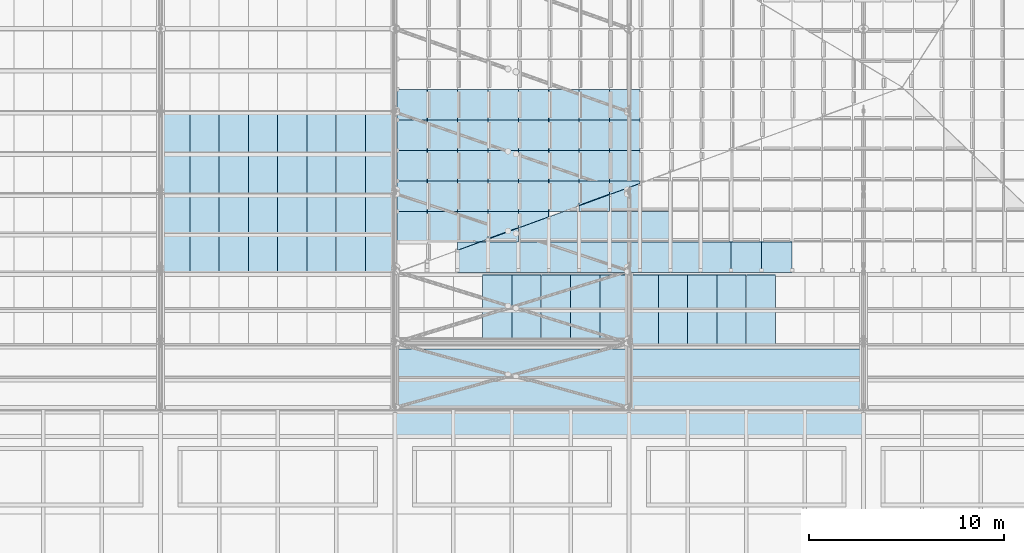
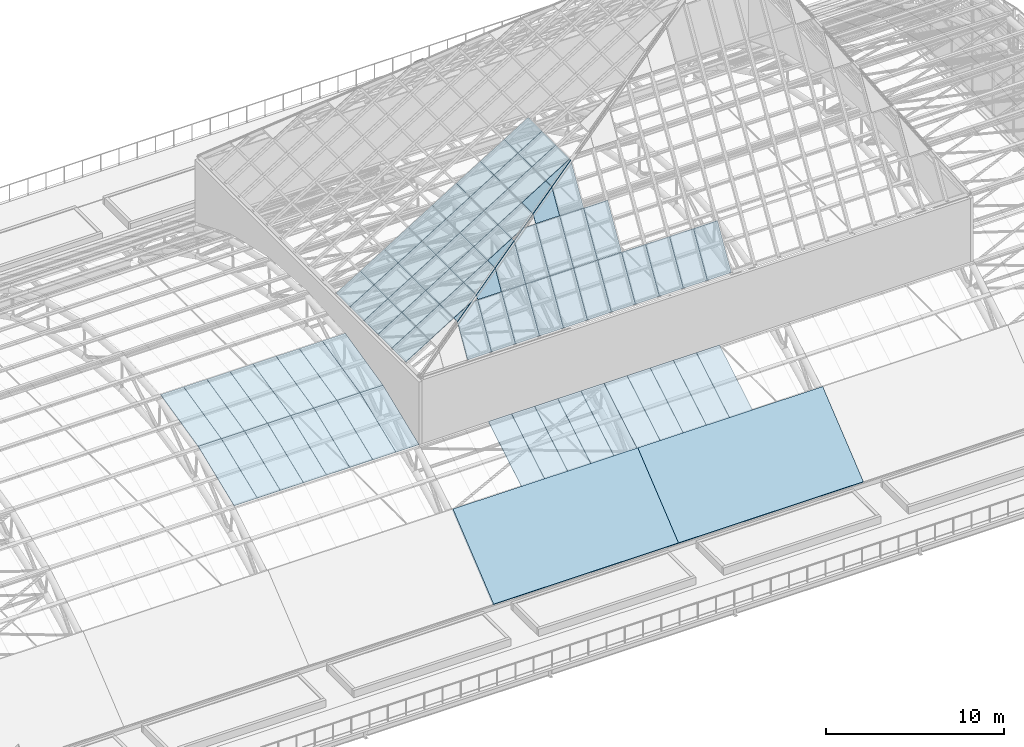
# One storey, part 53 of 110: 83 plates, 2 slabs.
"""IFC4 building model written with IfcOpenShell, lengths in metres."""

from ifc_helpers import new_model, si_unit, direction, frame, origin, place, context, subcontext, project, spatial, polyline, outline, extrude, material, layer, layer_set, type_object, element, save


model = new_model("IFC4")

# Units and contexts
model_context = context("Model", 3, precision=1e-05, world=origin(), true_north=direction((0.0, 1.0)))
body_context = subcontext(model_context, "Body", "Model", "MODEL_VIEW")
ifc_project = project(units=[si_unit("LENGTHUNIT", "METRE"), si_unit("AREAUNIT", "SQUARE_METRE"), si_unit("VOLUMEUNIT", "CUBIC_METRE"), si_unit("PLANEANGLEUNIT", "RADIAN"), si_unit("MASSUNIT", "GRAM", prefix="KILO")], contexts=[model_context])

# Site, building, storey
site_placement = place(None, origin())
site = spatial("IfcSite", under=ifc_project, at=site_placement, CompositionType="ELEMENT")
building_placement = place(site_placement, origin())
building = spatial("IfcBuilding", under=site, at=building_placement, Name="Windward Yard Aquatics Centre", CompositionType="ELEMENT")
storey_placement = place(building_placement, frame((0.0, 0.0, 22.60009765625)))
storey = spatial("IfcBuildingStorey", under=building, at=storey_placement, Name="L05", CompositionType="ELEMENT", Elevation=22.60009765625)

# Plates
ifc_material_1 = material(Name="Laminated low-e glass", Category="glass")
ifc_layer_1 = layer(ifc_material_1, 0.035888671875)
ifc_layer_set_1 = layer_set([ifc_layer_1], Name="H lantern glass laminated low-e 36")
plate_type_1 = type_object("IfcPlateType", Name="H lantern glass laminated low-e 36", PredefinedType="SHEET", material=ifc_layer_set_1)
plate_1_placement = place(storey_placement, frame((114.7822265625, 48.514404296875, 10.901123046875), z_axis=(0.0, -0.860085663828, 0.510149635771), x_axis=(0.0, 0.510149635771, 0.860085663828)))
element("IfcPlate", 1, at=plate_1_placement, inside=storey, type_object=plate_type_1, Name="H.LN.G.01.045", PredefinedType="SHEET", context=body_context, shape_type="SweptSolid", body=[
    extrude(outline(polyline([(0.0, 0.0), (3.044641, 0.0), (3.044641, -1.548584), (0.0, -1.548584), (0.0, 0.0)])), origin(), (0.0, 0.0, -1.0), 0.035888671875),
])
plate_2_placement = place(storey_placement, frame((113.2255859375, 48.514404296875, 10.901123046875), z_axis=(0.0, -0.860085663828, 0.510149635771), x_axis=(0.0, 0.510149635771, 0.860085663828)))
element("IfcPlate", 2, at=plate_2_placement, inside=storey, type_object=plate_type_1, Name="H.LN.G.01.050", PredefinedType="SHEET", context=body_context, shape_type="SweptSolid", body=[
    extrude(outline(polyline([(0.0, 0.0), (3.044641, 0.0), (3.044641, -1.548828), (0.0, -1.548828), (0.0, 0.0)])), origin(), (0.0, 0.0, -1.0), 0.035888671875),
])
plate_3_placement = place(storey_placement, frame((111.669189453125, 48.514404296875, 10.901123046875), z_axis=(0.0, -0.860085663828, 0.510149635771), x_axis=(0.0, 0.510149635771, 0.860085663828)))
element("IfcPlate", 3, at=plate_3_placement, inside=storey, type_object=plate_type_1, Name="H.LN.G.01.055", PredefinedType="SHEET", context=body_context, shape_type="SweptSolid", body=[
    extrude(outline(polyline([(0.0, 0.0), (3.044641, 0.0), (3.044641, -1.548584), (0.0, -1.548584), (0.0, 0.0)])), origin(), (0.0, 0.0, -1.0), 0.035888671875),
])
plate_4_placement = place(storey_placement, frame((110.11279296875, 48.514404296875, 10.901123046875), z_axis=(0.0, -0.860085663828, 0.510149635771), x_axis=(0.0, 0.510149635771, 0.860085663828)))
element("IfcPlate", 4, at=plate_4_placement, inside=storey, type_object=plate_type_1, Name="H.LN.G.01.059", PredefinedType="SHEET", context=body_context, shape_type="SweptSolid", body=[
    extrude(outline(polyline([(0.0, 0.0), (3.044641, 0.0), (3.044641, -1.54834), (0.0, -1.54834), (0.0, 0.0)])), origin(), (0.0, 0.0, -1.0), 0.035888671875),
])
plate_5_placement = place(storey_placement, frame((108.55615234375, 48.514404296875, 10.901123046875), z_axis=(0.0, -0.860085663828, 0.510149635771), x_axis=(0.0, 0.510149635771, 0.860085663828)))
element("IfcPlate", 5, at=plate_5_placement, inside=storey, type_object=plate_type_1, Name="H.LN.G.01.063", PredefinedType="SHEET", context=body_context, shape_type="SweptSolid", body=[
    extrude(outline(polyline([(0.0, 0.0), (3.044641, 0.0), (3.044641, -1.548584), (0.0, -1.548584), (0.0, 0.0)])), origin(), (0.0, 0.0, -1.0), 0.035888671875),
])
plate_6_placement = place(storey_placement, frame((108.55615234375, 50.07568359375, 13.533203125), z_axis=(0.0, -0.860106530547, 0.510114453933), x_axis=(0.0, 0.510114453933, 0.860106530547)))
element("IfcPlate", 6, at=plate_6_placement, inside=storey, type_object=plate_type_1, Name="H.LN.G.01.064", PredefinedType="SHEET", context=body_context, shape_type="SweptSolid", body=[
    extrude(outline(polyline([(0.0, 0.0), (3.044851, 0.0), (3.044851, -1.548584), (0.0, -1.548584), (0.0, 0.0)])), origin(), (0.0, 0.0, -1.0), 0.035888671875),
])
plate_7_placement = place(storey_placement, frame((106.999755859375, 48.514404296875, 10.901123046875), z_axis=(0.0, -0.860085663828, 0.510149635771), x_axis=(0.0, 0.510149635771, 0.860085663828)))
element("IfcPlate", 7, at=plate_7_placement, inside=storey, type_object=plate_type_1, Name="H.LN.G.01.067", PredefinedType="SHEET", context=body_context, shape_type="SweptSolid", body=[
    extrude(outline(polyline([(0.0, 0.0), (3.044641, 0.0), (3.044641, -1.54834), (0.0, -1.54834), (0.0, 0.0)])), origin(), (0.0, 0.0, -1.0), 0.035888671875),
])
plate_8_placement = place(storey_placement, frame((106.999755859375, 50.07568359375, 13.533203125), z_axis=(0.0, -0.860106530547, 0.510114453933), x_axis=(0.0, 0.510114453933, 0.860106530547)))
element("IfcPlate", 8, at=plate_8_placement, inside=storey, type_object=plate_type_1, Name="H.LN.G.01.068", PredefinedType="SHEET", context=body_context, shape_type="SweptSolid", body=[
    extrude(outline(polyline([(0.0, 0.0), (3.044851, 0.0), (3.044851, -1.54834), (0.0, -1.54834), (0.0, 0.0)])), origin(), (0.0, 0.0, -1.0), 0.035888671875),
])
plate_9_placement = place(storey_placement, frame((106.999755859375, 51.636962890625, 16.16552734375), z_axis=(2.1444482e-05, -0.860107969886, 0.510112026596), x_axis=(-4.21e-10, 0.510112026713, 0.860107970084)))
element("IfcPlate", 9, at=plate_9_placement, inside=storey, type_object=plate_type_1, Name="H.LN.G.01.069", PredefinedType="SHEET", context=body_context, shape_type="SweptSolid", body=[
    extrude(outline(polyline([(0.0, 0.0), (1.691435, 0.0), (2.803594, -1.54834), (0.0, -1.54834), (0.0, 0.0)])), origin(), (0.0, 0.0, -1.0), 0.035888671875),
])
plate_10_placement = place(storey_placement, frame((105.443115234375, 48.514404296875, 10.901123046875), z_axis=(0.0, -0.860085663828, 0.510149635771), x_axis=(0.0, 0.510149635771, 0.860085663828)))
element("IfcPlate", 10, at=plate_10_placement, inside=storey, type_object=plate_type_1, Name="H.LN.G.01.070", PredefinedType="SHEET", context=body_context, shape_type="SweptSolid", body=[
    extrude(outline(polyline([(0.0, 0.0), (3.044641, 0.0), (3.044641, -1.548584), (0.0, -1.548584), (0.0, 0.0)])), origin(), (0.0, 0.0, -1.0), 0.035888671875),
])
plate_11_placement = place(storey_placement, frame((105.443115234375, 50.07568359375, 13.533203125), z_axis=(0.0, -0.860106530547, 0.510114453933), x_axis=(0.0, 0.510114453933, 0.860106530547)))
element("IfcPlate", 11, at=plate_11_placement, inside=storey, type_object=plate_type_1, Name="H.LN.G.01.071", PredefinedType="SHEET", context=body_context, shape_type="SweptSolid", body=[
    extrude(outline(polyline([(0.0, 0.0), (3.044851, 0.0), (3.044851, -1.548584), (0.0, -1.548584), (0.0, 0.0)])), origin(), (0.0, 0.0, -1.0), 0.035888671875),
])
plate_12_placement = place(storey_placement, frame((105.443115234375, 51.636962890625, 16.16552734375), z_axis=(5.178936e-05, -0.860151077763, 0.510039332543), x_axis=(-7.241e-09, 0.510039333227, 0.860151078917)))
element("IfcPlate", 12, at=plate_12_placement, inside=storey, type_object=plate_type_1, Name="H.LN.G.01.072", PredefinedType="SHEET", context=body_context, shape_type="SweptSolid", body=[
    extrude(outline(polyline([(0.0, 0.0), (0.573582, 0.0), (1.685741, -1.548584), (0.0, -1.548584), (0.0, 0.0)])), origin(), (0.0, 0.0, -1.0), 0.035888671875),
])
plate_13_placement = place(storey_placement, frame((103.88671875, 48.514404296875, 10.901123046875), z_axis=(0.0, -0.860085663828, 0.510149635771), x_axis=(0.0, 0.510149635771, 0.860085663828)))
element("IfcPlate", 13, at=plate_13_placement, inside=storey, type_object=plate_type_1, Name="H.LN.G.01.073", PredefinedType="SHEET", context=body_context, shape_type="SweptSolid", body=[
    extrude(outline(polyline([(0.0, 0.0), (3.044641, 0.0), (3.044641, -1.54834), (0.0, -1.54834), (0.0, 0.0)])), origin(), (0.0, 0.0, -1.0), 0.035888671875),
])
plate_14_placement = place(storey_placement, frame((103.88671875, 50.07568359375, 13.533203125), z_axis=(6.125523e-06, -0.860107285921, 0.510113180253), x_axis=(-3.5e-11, 0.510113180263, 0.860107285937)))
element("IfcPlate", 14, at=plate_14_placement, inside=storey, type_object=plate_type_1, Name="H.LN.G.01.074", PredefinedType="SHEET", context=body_context, shape_type="SweptSolid", body=[
    extrude(outline(polyline([(0.0, 0.0), (2.516029, 0.0), (3.044851, -0.736084), (3.044851, -1.54834), (0.0, -1.54834), (0.0, 0.0)])), origin(), (0.0, 0.0, -1.0), 0.035888671875),
])
plate_15_placement = place(storey_placement, frame((102.330078125, 48.514404296875, 10.901123046875), z_axis=(0.0, -0.860085663828, 0.510149635771), x_axis=(0.0, 0.510149635771, 0.860085663828)))
element("IfcPlate", 15, at=plate_15_placement, inside=storey, type_object=plate_type_1, Name="H.LN.G.01.076", PredefinedType="SHEET", context=body_context, shape_type="SweptSolid", body=[
    extrude(outline(polyline([(0.0, 0.0), (3.044641, 0.0), (3.044641, -1.548584), (0.0, -1.548584), (0.0, 0.0)])), origin(), (0.0, 0.0, -1.0), 0.035888671875),
])
plate_16_placement = place(storey_placement, frame((102.330078125, 50.07568359375, 13.533203125), z_axis=(3.4919878e-05, -0.860127116535, 0.510079741004), x_axis=(-1.351e-09, 0.510079741315, 0.860127117059)))
element("IfcPlate", 16, at=plate_16_placement, inside=storey, type_object=plate_type_1, Name="H.LN.G.01.077", PredefinedType="SHEET", context=body_context, shape_type="SweptSolid", body=[
    extrude(outline(polyline([(0.0, 0.0), (1.398176, 0.0), (2.510335, -1.548584), (0.0, -1.548584), (0.0, 0.0)])), origin(), (0.0, 0.0, -1.0), 0.035888671875),
])
plate_17_placement = place(storey_placement, frame((100.773681640625, 48.514404296875, 10.901123046875), z_axis=(0.0, -0.860085663828, 0.510149635771), x_axis=(0.0, 0.510149635771, 0.860085663828)))
element("IfcPlate", 17, at=plate_17_placement, inside=storey, type_object=plate_type_1, Name="H.LN.G.01.078", PredefinedType="SHEET", context=body_context, shape_type="SweptSolid", body=[
    extrude(outline(polyline([(0.0, 0.0), (3.044641, 0.0), (3.044641, -1.54834), (0.0, -1.54834), (0.0, 0.0)])), origin(), (0.0, 0.0, -1.0), 0.035888671875),
])
plate_18_placement = place(storey_placement, frame((100.773681640625, 50.07568359375, 13.533203125), z_axis=(4.0466581e-05, -0.860134986185, 0.510066470083), x_axis=(-9.052e-09, 0.5100664705, 0.860134986889)))
element("IfcPlate", 18, at=plate_18_placement, inside=storey, type_object=plate_type_1, Name="H.LN.G.01.079", PredefinedType="SHEET", context=body_context, shape_type="SweptSolid", body=[
    extrude(outline(polyline([(0.0, 0.0), (0.280113, 0.0), (1.392272, -1.54834), (0.0, -1.54834), (0.0, 0.0)])), origin(), (0.0, 0.0, -1.0), 0.035888671875),
])
plate_19_placement = place(storey_placement, frame((99.217041015625, 48.514404296875, 10.901123046875), z_axis=(-2.4197371e-05, -0.860081022131, 0.510157460775), x_axis=(-5.14e-10, 0.510157460924, 0.860081022383)))
element("IfcPlate", 19, at=plate_19_placement, inside=storey, type_object=plate_type_1, Name="H.LN.G.01.080", PredefinedType="SHEET", context=body_context, shape_type="SweptSolid", body=[
    extrude(outline(polyline([(0.0, 0.0), (2.22235, 0.0), (3.044641, -1.144775), (3.044641, -1.548584), (0.0, -1.548584), (0.0, 0.0)])), origin(), (0.0, 0.0, -1.0), 0.035888671875),
])
plate_20_placement = place(storey_placement, frame((99.217041015625, 49.65673828125, 12.81982421875), z_axis=(-0.525646659314, 0.0, 0.850702997263), x_axis=(0.0, 1.0, 0.0)))
element("IfcPlate", 20, at=plate_20_placement, inside=storey, type_object=plate_type_1, Name="H.LN.G.04.003", PredefinedType="SHEET", context=body_context, shape_type="SweptSolid", body=[
    extrude(outline(polyline([(0.0, 0.0), (0.410889, 0.0), (0.410889, -1.318131), (0.0, 0.0)])), origin(), (0.0, 0.0, -1.0), 0.035888671875),
])
for number, where, z_axis, x_axis, name in (
    (21, (96.10400390625, 50.07568359375, 10.896728515625), (-0.525518580898, 0.0, 0.850782123185), (0.0, 1.0, 0.0), "H.LN.G.04.004"),
    (22, (97.660400390625, 50.07568359375, 11.8583984375), (-0.525518580898, 0.0, 0.850782123185), (0.0, 1.0, 0.0), "H.LN.G.04.005"),
):
    element("IfcPlate", number, at=place(storey_placement, frame(where, z_axis=z_axis, x_axis=x_axis)), inside=storey, type_object=plate_type_1, Name=name, PredefinedType="SHEET", context=body_context, shape_type="SweptSolid", body=[
        extrude(outline(polyline([(0.0, 0.0), (1.553223, 0.0), (1.553223, -1.820189), (0.0, -1.820189), (0.0, 0.0)])), origin(), (0.0, 0.0, -1.0), 0.035888671875),
    ])
plate_21_placement = place(storey_placement, frame((99.217041015625, 50.07568359375, 12.81982421875), z_axis=(-0.525520287925, 2.4605692e-05, 0.850781068415), x_axis=(1.2930791e-05, 0.999999999697, -2.0934057e-05)))
element("IfcPlate", 23, at=plate_21_placement, inside=storey, type_object=plate_type_1, Name="H.LN.G.04.006", PredefinedType="SHEET", context=body_context, shape_type="SweptSolid", body=[
    extrude(outline(polyline([(0.0, 0.0), (1.553223, 0.0), (1.553223, -1.820189), (0.148438, -1.820189), (0.0, -1.343881), (0.0, 0.0)])), origin(), (0.0, 0.0, -1.0), 0.035888671875),
])
plate_22_placement = place(storey_placement, frame((100.773681640625, 50.22705078125, 13.781494140625), z_axis=(-0.525578555888, 0.0, 0.850745074385), x_axis=(0.0, 1.0, 0.0)))
element("IfcPlate", 24, at=plate_22_placement, inside=storey, type_object=plate_type_1, Name="H.LN.G.04.007", PredefinedType="SHEET", context=body_context, shape_type="SweptSolid", body=[
    extrude(outline(polyline([(0.0, 0.0), (1.401855, 0.0), (1.401855, -1.819981), (0.567383, -1.819981), (0.0, 0.0)])), origin(), (0.0, 0.0, -1.0), 0.035888671875),
])
plate_23_placement = place(storey_placement, frame((102.330078125, 50.79736328125, 14.742919921875), z_axis=(-0.525615657471, 0.0, 0.850722152422), x_axis=(0.0, 1.0, 0.0)))
element("IfcPlate", 25, at=plate_23_placement, inside=storey, type_object=plate_type_1, Name="H.LN.G.04.008", PredefinedType="SHEET", context=body_context, shape_type="SweptSolid", body=[
    extrude(outline(polyline([(0.0, 0.0), (0.831543, 0.0), (0.831543, -1.820317), (0.567383, -1.820317), (0.0, 0.0)])), origin(), (0.0, 0.0, -1.0), 0.035888671875),
])
for number, where, z_axis, x_axis, name in (
    (26, (96.10400390625, 51.636962890625, 10.896728515625), (-0.525518580898, 0.0, 0.850782123185), (0.0, 1.0, 0.0), "H.LN.G.04.010"),
    (27, (97.660400390625, 51.636962890625, 11.8583984375), (-0.525518580898, 0.0, 0.850782123185), (0.0, 1.0, 0.0), "H.LN.G.04.011"),
    (28, (99.217041015625, 51.636962890625, 12.81982421875), (-0.525518580898, 0.0, 0.850782123185), (0.0, 1.0, 0.0), "H.LN.G.04.012"),
):
    element("IfcPlate", number, at=place(storey_placement, frame(where, z_axis=z_axis, x_axis=x_axis)), inside=storey, type_object=plate_type_1, Name=name, PredefinedType="SHEET", context=body_context, shape_type="SweptSolid", body=[
        extrude(outline(polyline([(0.0, 0.0), (1.553223, 0.0), (1.553223, -1.820189), (0.0, -1.820189), (0.0, 0.0)])), origin(), (0.0, 0.0, -1.0), 0.035888671875),
    ])
plate_24_placement = place(storey_placement, frame((100.773681640625, 51.636962890625, 13.781494140625), z_axis=(-0.525578555888, 0.0, 0.850745074385), x_axis=(0.0, 1.0, 0.0)))
element("IfcPlate", 29, at=plate_24_placement, inside=storey, type_object=plate_type_1, Name="H.LN.G.04.013", PredefinedType="SHEET", context=body_context, shape_type="SweptSolid", body=[
    extrude(outline(polyline([(0.0, 0.0), (1.553223, 0.0), (1.553223, -1.819981), (0.0, -1.819981), (0.0, 0.0)])), origin(), (0.0, 0.0, -1.0), 0.035888671875),
])
plate_25_placement = place(storey_placement, frame((102.330078125, 51.636962890625, 14.742919921875), z_axis=(-0.525615657471, 0.0, 0.850722152422), x_axis=(0.0, 1.0, 0.0)))
element("IfcPlate", 30, at=plate_25_placement, inside=storey, type_object=plate_type_1, Name="H.LN.G.04.014", PredefinedType="SHEET", context=body_context, shape_type="SweptSolid", body=[
    extrude(outline(polyline([(0.0, 0.0), (1.553223, 0.0), (1.553223, -1.820317), (0.0, -1.820317), (0.0, 0.0)])), origin(), (0.0, 0.0, -1.0), 0.035888671875),
])
plate_26_placement = place(storey_placement, frame((103.88671875, 51.636962890625, 15.70458984375), z_axis=(-0.52557935417, 5.728919e-06, 0.850744581198), x_axis=(3.011001e-06, 0.999999999984, -4.873846e-06)))
element("IfcPlate", 31, at=plate_26_placement, inside=storey, type_object=plate_type_1, Name="H.LN.G.04.015", PredefinedType="SHEET", context=body_context, shape_type="SweptSolid", body=[
    extrude(outline(polyline([(0.0, 0.0), (1.553223, 0.0), (1.553223, -1.819981), (0.298096, -1.819981), (0.0, -0.863511), (0.0, 0.0)])), origin(), (0.0, 0.0, -1.0), 0.035888671875),
])
plate_27_placement = place(storey_placement, frame((105.443115234375, 51.93798828125, 16.666015625), z_axis=(-0.525615657471, 0.0, 0.850722152422), x_axis=(0.0, 1.0, 0.0)))
element("IfcPlate", 32, at=plate_27_placement, inside=storey, type_object=plate_type_1, Name="H.LN.G.04.016", PredefinedType="SHEET", context=body_context, shape_type="SweptSolid", body=[
    extrude(outline(polyline([(0.0, 0.0), (1.252197, 0.0), (1.252197, -1.820317), (0.567383, -1.820317), (0.0, 0.0)])), origin(), (0.0, 0.0, -1.0), 0.035888671875),
])
plate_28_placement = place(storey_placement, frame((106.999755859375, 52.50830078125, 17.627685546875), z_axis=(-0.525578555888, 0.0, 0.850745074385), x_axis=(0.0, 1.0, 0.0)))
element("IfcPlate", 33, at=plate_28_placement, inside=storey, type_object=plate_type_1, Name="H.LN.G.04.017", PredefinedType="SHEET", context=body_context, shape_type="SweptSolid", body=[
    extrude(outline(polyline([(0.0, 0.0), (0.681885, 0.0), (0.681885, -1.819981), (0.567383, -1.819981), (0.0, 0.0)])), origin(), (0.0, 0.0, -1.0), 0.035888671875),
])
for number, where, z_axis, x_axis, name in (
    (34, (96.10400390625, 53.197998046875, 10.896728515625), (-0.525518580898, 0.0, 0.850782123185), (0.0, 1.0, 0.0), "H.LN.G.04.018"),
    (35, (97.660400390625, 53.197998046875, 11.8583984375), (-0.525518580898, 0.0, 0.850782123185), (0.0, 1.0, 0.0), "H.LN.G.04.019"),
    (36, (99.217041015625, 53.197998046875, 12.81982421875), (-0.525518580898, 0.0, 0.850782123185), (0.0, 1.0, 0.0), "H.LN.G.04.020"),
):
    element("IfcPlate", number, at=place(storey_placement, frame(where, z_axis=z_axis, x_axis=x_axis)), inside=storey, type_object=plate_type_1, Name=name, PredefinedType="SHEET", context=body_context, shape_type="SweptSolid", body=[
        extrude(outline(polyline([(0.0, 0.0), (1.553223, 0.0), (1.553223, -1.820189), (0.0, -1.820189), (0.0, 0.0)])), origin(), (0.0, 0.0, -1.0), 0.035888671875),
    ])
plate_29_placement = place(storey_placement, frame((100.773681640625, 53.197998046875, 13.781494140625), z_axis=(-0.525578555888, 0.0, 0.850745074385), x_axis=(0.0, 1.0, 0.0)))
element("IfcPlate", 37, at=plate_29_placement, inside=storey, type_object=plate_type_1, Name="H.LN.G.04.021", PredefinedType="SHEET", context=body_context, shape_type="SweptSolid", body=[
    extrude(outline(polyline([(0.0, 0.0), (1.553223, 0.0), (1.553223, -1.819981), (0.0, -1.819981), (0.0, 0.0)])), origin(), (0.0, 0.0, -1.0), 0.035888671875),
])
plate_30_placement = place(storey_placement, frame((102.330078125, 53.197998046875, 14.742919921875), z_axis=(-0.525615657471, 0.0, 0.850722152422), x_axis=(0.0, 1.0, 0.0)))
element("IfcPlate", 38, at=plate_30_placement, inside=storey, type_object=plate_type_1, Name="H.LN.G.04.022", PredefinedType="SHEET", context=body_context, shape_type="SweptSolid", body=[
    extrude(outline(polyline([(0.0, 0.0), (1.553223, 0.0), (1.553223, -1.820317), (0.0, -1.820317), (0.0, 0.0)])), origin(), (0.0, 0.0, -1.0), 0.035888671875),
])
plate_31_placement = place(storey_placement, frame((103.88671875, 53.197998046875, 15.70458984375), z_axis=(-0.525578555888, 0.0, 0.850745074385), x_axis=(0.0, 1.0, 0.0)))
element("IfcPlate", 39, at=plate_31_placement, inside=storey, type_object=plate_type_1, Name="H.LN.G.04.023", PredefinedType="SHEET", context=body_context, shape_type="SweptSolid", body=[
    extrude(outline(polyline([(0.0, 0.0), (1.553223, 0.0), (1.553223, -1.819981), (0.0, -1.819981), (0.0, 0.0)])), origin(), (0.0, 0.0, -1.0), 0.035888671875),
])
plate_32_placement = place(storey_placement, frame((105.443115234375, 53.197998046875, 16.666015625), z_axis=(-0.525615657471, 0.0, 0.850722152422), x_axis=(0.0, 1.0, 0.0)))
element("IfcPlate", 40, at=plate_32_placement, inside=storey, type_object=plate_type_1, Name="H.LN.G.04.024", PredefinedType="SHEET", context=body_context, shape_type="SweptSolid", body=[
    extrude(outline(polyline([(0.0, 0.0), (1.553223, 0.0), (1.553223, -1.820317), (0.0, -1.820317), (0.0, 0.0)])), origin(), (0.0, 0.0, -1.0), 0.035888671875),
])
plate_33_placement = place(storey_placement, frame((106.999755859375, 53.197998046875, 17.627685546875), z_axis=(-0.525578555888, 0.0, 0.850745074385), x_axis=(0.0, 1.0, 0.0)))
element("IfcPlate", 41, at=plate_33_placement, inside=storey, type_object=plate_type_1, Name="H.LN.G.04.025", PredefinedType="SHEET", context=body_context, shape_type="SweptSolid", body=[
    extrude(outline(polyline([(0.0, 0.0), (1.553223, 0.0), (1.553223, -1.819981), (0.0, -1.819981), (0.0, 0.0)])), origin(), (0.0, 0.0, -1.0), 0.035888671875),
])
for number, where, z_axis, x_axis, name in (
    (42, (96.10400390625, 54.75927734375, 10.896728515625), (-0.525518580898, 0.0, 0.850782123185), (0.0, 1.0, 0.0), "H.LN.G.04.029"),
    (43, (97.660400390625, 54.75927734375, 11.8583984375), (-0.525518580898, 0.0, 0.850782123185), (0.0, 1.0, 0.0), "H.LN.G.04.030"),
    (44, (99.217041015625, 54.75927734375, 12.81982421875), (-0.525518580898, 0.0, 0.850782123185), (0.0, 1.0, 0.0), "H.LN.G.04.031"),
):
    element("IfcPlate", number, at=place(storey_placement, frame(where, z_axis=z_axis, x_axis=x_axis)), inside=storey, type_object=plate_type_1, Name=name, PredefinedType="SHEET", context=body_context, shape_type="SweptSolid", body=[
        extrude(outline(polyline([(0.0, 0.0), (1.553223, 0.0), (1.553223, -1.820189), (0.0, -1.820189), (0.0, 0.0)])), origin(), (0.0, 0.0, -1.0), 0.035888671875),
    ])
plate_34_placement = place(storey_placement, frame((100.773681640625, 54.75927734375, 13.781494140625), z_axis=(-0.525578555888, 0.0, 0.850745074385), x_axis=(0.0, 1.0, 0.0)))
element("IfcPlate", 45, at=plate_34_placement, inside=storey, type_object=plate_type_1, Name="H.LN.G.04.032", PredefinedType="SHEET", context=body_context, shape_type="SweptSolid", body=[
    extrude(outline(polyline([(0.0, 0.0), (1.553223, 0.0), (1.553223, -1.819981), (0.0, -1.819981), (0.0, 0.0)])), origin(), (0.0, 0.0, -1.0), 0.035888671875),
])
plate_35_placement = place(storey_placement, frame((102.330078125, 54.75927734375, 14.742919921875), z_axis=(-0.525615657471, 0.0, 0.850722152422), x_axis=(0.0, 1.0, 0.0)))
element("IfcPlate", 46, at=plate_35_placement, inside=storey, type_object=plate_type_1, Name="H.LN.G.04.033", PredefinedType="SHEET", context=body_context, shape_type="SweptSolid", body=[
    extrude(outline(polyline([(0.0, 0.0), (1.553223, 0.0), (1.553223, -1.820317), (0.0, -1.820317), (0.0, 0.0)])), origin(), (0.0, 0.0, -1.0), 0.035888671875),
])
plate_36_placement = place(storey_placement, frame((103.88671875, 54.75927734375, 15.70458984375), z_axis=(-0.525578555888, 0.0, 0.850745074385), x_axis=(0.0, 1.0, 0.0)))
element("IfcPlate", 47, at=plate_36_placement, inside=storey, type_object=plate_type_1, Name="H.LN.G.04.034", PredefinedType="SHEET", context=body_context, shape_type="SweptSolid", body=[
    extrude(outline(polyline([(0.0, 0.0), (1.553223, 0.0), (1.553223, -1.819981), (0.0, -1.819981), (0.0, 0.0)])), origin(), (0.0, 0.0, -1.0), 0.035888671875),
])
plate_37_placement = place(storey_placement, frame((105.443115234375, 54.75927734375, 16.666015625), z_axis=(-0.525615657471, 0.0, 0.850722152422), x_axis=(0.0, 1.0, 0.0)))
element("IfcPlate", 48, at=plate_37_placement, inside=storey, type_object=plate_type_1, Name="H.LN.G.04.035", PredefinedType="SHEET", context=body_context, shape_type="SweptSolid", body=[
    extrude(outline(polyline([(0.0, 0.0), (1.553223, 0.0), (1.553223, -1.820317), (0.0, -1.820317), (0.0, 0.0)])), origin(), (0.0, 0.0, -1.0), 0.035888671875),
])
plate_38_placement = place(storey_placement, frame((106.999755859375, 54.75927734375, 17.627685546875), z_axis=(-0.525578555888, 0.0, 0.850745074385), x_axis=(0.0, 1.0, 0.0)))
element("IfcPlate", 49, at=plate_38_placement, inside=storey, type_object=plate_type_1, Name="H.LN.G.04.036", PredefinedType="SHEET", context=body_context, shape_type="SweptSolid", body=[
    extrude(outline(polyline([(0.0, 0.0), (1.553223, 0.0), (1.553223, -1.819981), (0.0, -1.819981), (0.0, 0.0)])), origin(), (0.0, 0.0, -1.0), 0.035888671875),
])
for number, where, z_axis, x_axis, name in (
    (50, (96.10400390625, 56.320556640625, 10.896728515625), (-0.525518580898, 0.0, 0.850782123185), (0.0, 1.0, 0.0), "H.LN.G.04.043"),
    (51, (97.660400390625, 56.320556640625, 11.8583984375), (-0.525518580898, 0.0, 0.850782123185), (0.0, 1.0, 0.0), "H.LN.G.04.044"),
    (52, (99.217041015625, 56.320556640625, 12.81982421875), (-0.525518580898, 0.0, 0.850782123185), (0.0, 1.0, 0.0), "H.LN.G.04.045"),
):
    element("IfcPlate", number, at=place(storey_placement, frame(where, z_axis=z_axis, x_axis=x_axis)), inside=storey, type_object=plate_type_1, Name=name, PredefinedType="SHEET", context=body_context, shape_type="SweptSolid", body=[
        extrude(outline(polyline([(0.0, 0.0), (1.552979, 0.0), (1.552979, -1.820189), (0.0, -1.820189), (0.0, 0.0)])), origin(), (0.0, 0.0, -1.0), 0.035888671875),
    ])
plate_39_placement = place(storey_placement, frame((100.773681640625, 56.320556640625, 13.781494140625), z_axis=(-0.525578555888, 0.0, 0.850745074385), x_axis=(0.0, 1.0, 0.0)))
element("IfcPlate", 53, at=plate_39_placement, inside=storey, type_object=plate_type_1, Name="H.LN.G.04.046", PredefinedType="SHEET", context=body_context, shape_type="SweptSolid", body=[
    extrude(outline(polyline([(0.0, 0.0), (1.552979, 0.0), (1.552979, -1.819981), (0.0, -1.819981), (0.0, 0.0)])), origin(), (0.0, 0.0, -1.0), 0.035888671875),
])
plate_40_placement = place(storey_placement, frame((102.330078125, 56.320556640625, 14.742919921875), z_axis=(-0.525615657471, 0.0, 0.850722152422), x_axis=(0.0, 1.0, 0.0)))
element("IfcPlate", 54, at=plate_40_placement, inside=storey, type_object=plate_type_1, Name="H.LN.G.04.047", PredefinedType="SHEET", context=body_context, shape_type="SweptSolid", body=[
    extrude(outline(polyline([(0.0, 0.0), (1.552979, 0.0), (1.552979, -1.820317), (0.0, -1.820317), (0.0, 0.0)])), origin(), (0.0, 0.0, -1.0), 0.035888671875),
])
plate_41_placement = place(storey_placement, frame((103.88671875, 56.320556640625, 15.70458984375), z_axis=(-0.525578555888, 0.0, 0.850745074385), x_axis=(0.0, 1.0, 0.0)))
element("IfcPlate", 55, at=plate_41_placement, inside=storey, type_object=plate_type_1, Name="H.LN.G.04.048", PredefinedType="SHEET", context=body_context, shape_type="SweptSolid", body=[
    extrude(outline(polyline([(0.0, 0.0), (1.552979, 0.0), (1.552979, -1.819981), (0.0, -1.819981), (0.0, 0.0)])), origin(), (0.0, 0.0, -1.0), 0.035888671875),
])
plate_42_placement = place(storey_placement, frame((105.443115234375, 56.320556640625, 16.666015625), z_axis=(-0.525615657471, 0.0, 0.850722152422), x_axis=(0.0, 1.0, 0.0)))
element("IfcPlate", 56, at=plate_42_placement, inside=storey, type_object=plate_type_1, Name="H.LN.G.04.049", PredefinedType="SHEET", context=body_context, shape_type="SweptSolid", body=[
    extrude(outline(polyline([(0.0, 0.0), (1.552979, 0.0), (1.552979, -1.820317), (0.0, -1.820317), (0.0, 0.0)])), origin(), (0.0, 0.0, -1.0), 0.035888671875),
])
plate_43_placement = place(storey_placement, frame((106.999755859375, 56.320556640625, 17.627685546875), z_axis=(-0.525578555888, 0.0, 0.850745074385), x_axis=(0.0, 1.0, 0.0)))
element("IfcPlate", 57, at=plate_43_placement, inside=storey, type_object=plate_type_1, Name="H.LN.G.04.050", PredefinedType="SHEET", context=body_context, shape_type="SweptSolid", body=[
    extrude(outline(polyline([(0.0, 0.0), (1.552979, 0.0), (1.552979, -1.819981), (0.0, -1.819981), (0.0, 0.0)])), origin(), (0.0, 0.0, -1.0), 0.035888671875),
])

# Slabs
ifc_material_2 = material(Name="Aluminium standing seam sheet", Category="aluminium")
ifc_layer_2 = layer(ifc_material_2, 0.001, Name="Roof covering")
ifc_material_3 = material(Name="Breather membrane")
ifc_layer_3 = layer(ifc_material_3, 0.002, Name="Underlay")
ifc_material_4 = material(Name="Mineral wool insulation")
ifc_layer_4 = layer(ifc_material_4, 0.1, Name="Insulation")
ifc_material_5 = material(Name="Vapour control layer")
ifc_layer_5 = layer(ifc_material_5, 0.001, Name="Vapour control")
ifc_material_6 = material(Name="Profiled galvanised steel deck", Category="steel")
ifc_layer_6 = layer(ifc_material_6, 0.046, Name="Deck")
ifc_layer_set_2 = layer_set([ifc_layer_2, ifc_layer_3, ifc_layer_4, ifc_layer_5, ifc_layer_6], Name="H standing seam roofing 150")
slab_type = type_object("IfcSlabType", Name="H standing seam roofing 150", PredefinedType="ROOF", material=ifc_layer_set_2)
for number, where, z_axis, x_axis, name in (
    (58, (96.0, 26.0, 0.0), (1.0, 0.0, 0.0), (0.0, 1.0, 0.0), "Roof covering bay 4"),
    (59, (108.0, 26.0, 0.0), (1.0, 0.0, 0.0), (0.0, 1.0, 0.0), "Roof covering bay 5"),
):
    element("IfcSlab", number, at=place(storey_placement, frame(where, z_axis=z_axis, x_axis=x_axis)), inside=storey, type_object=slab_type, Name=name, PredefinedType="ROOF", context=body_context, shape_type="SweptSolid", body=[
        extrude(outline(polyline([(14.107666015625, 0.300048828125), (18.67431640625, 4.050537109375), (18.588134765625, 4.173828125), (14.012451171875, 0.416015625), (14.107666015625, 0.300048828125)])), origin(), (0.0, 0.0, 1.0), 12.0),
    ])

# Plates
ifc_material_7 = material(Name="Translucent multiwall polycarbonate sheet")
ifc_layer_7 = layer(ifc_material_7, 0.031982421875)
ifc_layer_set_3 = layer_set([ifc_layer_7], Name="H translucent roof sheet multiwall polycarbonate 32")
plate_type_2 = type_object("IfcPlateType", Name="H translucent roof sheet multiwall polycarbonate 32", PredefinedType="SHEET", material=ifc_layer_set_3)
for number, where, z_axis, x_axis, name in (
    (60, (84.001953125, 26.0, 0.0), (1.0, 0.0, 0.0), (0.0, 1.0, 0.0), "Daylight roof sheet bay 3 facet 3 sheet 1"),
    (61, (85.501953125, 26.0, 0.0), (1.0, 0.0, 0.0), (0.0, 1.0, 0.0), "Daylight roof sheet bay 3 facet 3 sheet 2"),
    (62, (87.001953125, 26.0, 0.0), (1.0, 0.0, 0.0), (0.0, 1.0, 0.0), "Daylight roof sheet bay 3 facet 3 sheet 3"),
    (63, (88.501953125, 26.0, 0.0), (1.0, 0.0, 0.0), (0.0, 1.0, 0.0), "Daylight roof sheet bay 3 facet 3 sheet 4"),
    (64, (90.001953125, 26.0, 0.0), (1.0, 0.0, 0.0), (0.0, 1.0, 0.0), "Daylight roof sheet bay 3 facet 3 sheet 5"),
    (65, (91.501953125, 26.0, 0.0), (1.0, 0.0, 0.0), (0.0, 1.0, 0.0), "Daylight roof sheet bay 3 facet 3 sheet 6"),
    (66, (93.001953125, 26.0, 0.0), (1.0, 0.0, 0.0), (0.0, 1.0, 0.0), "Daylight roof sheet bay 3 facet 3 sheet 7"),
    (67, (94.501953125, 26.0, 0.0), (1.0, 0.0, 0.0), (0.0, 1.0, 0.0), "Daylight roof sheet bay 3 facet 3 sheet 8"),
):
    element("IfcPlate", number, at=place(storey_placement, frame(where, z_axis=z_axis, x_axis=x_axis)), inside=storey, type_object=plate_type_2, Name=name, PredefinedType="SHEET", context=body_context, shape_type="SweptSolid", body=[
        extrude(outline(polyline([(22.41064453125, 6.2646484375), (26.440185546875, 7.88427734375), (26.4306640625, 7.914794921875), (22.396240234375, 6.29345703125), (22.41064453125, 6.2646484375)])), origin(), (0.0, 0.0, 1.0), 1.49609375),
    ])
for number, where, z_axis, x_axis, name in (
    (68, (84.001953125, 26.0, 0.0), (1.0, 0.0, 0.0), (0.0, 1.0, 0.0), "Daylight roof sheet bay 3 facet 4 sheet 1"),
    (69, (85.501953125, 26.0, 0.0), (1.0, 0.0, 0.0), (0.0, 1.0, 0.0), "Daylight roof sheet bay 3 facet 4 sheet 2"),
    (70, (87.001953125, 26.0, 0.0), (1.0, 0.0, 0.0), (0.0, 1.0, 0.0), "Daylight roof sheet bay 3 facet 4 sheet 3"),
    (71, (88.501953125, 26.0, 0.0), (1.0, 0.0, 0.0), (0.0, 1.0, 0.0), "Daylight roof sheet bay 3 facet 4 sheet 4"),
    (72, (90.001953125, 26.0, 0.0), (1.0, 0.0, 0.0), (0.0, 1.0, 0.0), "Daylight roof sheet bay 3 facet 4 sheet 5"),
    (73, (91.501953125, 26.0, 0.0), (1.0, 0.0, 0.0), (0.0, 1.0, 0.0), "Daylight roof sheet bay 3 facet 4 sheet 6"),
    (74, (93.001953125, 26.0, 0.0), (1.0, 0.0, 0.0), (0.0, 1.0, 0.0), "Daylight roof sheet bay 3 facet 4 sheet 7"),
    (75, (94.501953125, 26.0, 0.0), (1.0, 0.0, 0.0), (0.0, 1.0, 0.0), "Daylight roof sheet bay 3 facet 4 sheet 8"),
):
    element("IfcPlate", number, at=place(storey_placement, frame(where, z_axis=z_axis, x_axis=x_axis)), inside=storey, type_object=plate_type_2, Name=name, PredefinedType="SHEET", context=body_context, shape_type="SweptSolid", body=[
        extrude(outline(polyline([(26.440185546875, 7.88427734375), (30.669677734375, 8.871337890625), (30.664794921875, 8.903076171875), (26.4306640625, 7.914794921875), (26.440185546875, 7.88427734375)])), origin(), (0.0, 0.0, 1.0), 1.49609375),
    ])
for number, where, z_axis, x_axis, name in (
    (76, (100.501953125, 26.0, 0.0), (1.0, 0.0, 0.0), (0.0, 1.0, 0.0), "Daylight roof sheet bay 4 facet 2 sheet 4"),
    (77, (102.001953125, 26.0, 0.0), (1.0, 0.0, 0.0), (0.0, 1.0, 0.0), "Daylight roof sheet bay 4 facet 2 sheet 5"),
    (78, (103.501953125, 26.0, 0.0), (1.0, 0.0, 0.0), (0.0, 1.0, 0.0), "Daylight roof sheet bay 4 facet 2 sheet 6"),
    (79, (105.001953125, 26.0, 0.0), (1.0, 0.0, 0.0), (0.0, 1.0, 0.0), "Daylight roof sheet bay 4 facet 2 sheet 7"),
    (80, (106.501953125, 26.0, 0.0), (1.0, 0.0, 0.0), (0.0, 1.0, 0.0), "Daylight roof sheet bay 4 facet 2 sheet 8"),
    (81, (108.001953125, 26.0, 0.0), (1.0, 0.0, 0.0), (0.0, 1.0, 0.0), "Daylight roof sheet bay 5 facet 2 sheet 1"),
    (82, (109.501953125, 26.0, 0.0), (1.0, 0.0, 0.0), (0.0, 1.0, 0.0), "Daylight roof sheet bay 5 facet 2 sheet 2"),
    (83, (111.001953125, 26.0, 0.0), (1.0, 0.0, 0.0), (0.0, 1.0, 0.0), "Daylight roof sheet bay 5 facet 2 sheet 3"),
    (84, (112.501953125, 26.0, 0.0), (1.0, 0.0, 0.0), (0.0, 1.0, 0.0), "Daylight roof sheet bay 5 facet 2 sheet 4"),
    (85, (114.001953125, 26.0, 0.0), (1.0, 0.0, 0.0), (0.0, 1.0, 0.0), "Daylight roof sheet bay 5 facet 2 sheet 5"),
):
    element("IfcPlate", number, at=place(storey_placement, frame(where, z_axis=z_axis, x_axis=x_axis)), inside=storey, type_object=plate_type_2, Name=name, PredefinedType="SHEET", context=body_context, shape_type="SweptSolid", body=[
        extrude(outline(polyline([(18.67431640625, 4.050537109375), (22.41064453125, 6.2646484375), (22.396240234375, 6.29345703125), (18.656005859375, 4.076904296875), (18.67431640625, 4.050537109375)])), origin(), (0.0, 0.0, 1.0), 1.49609375),
    ])

save(model, "model.ifc")
